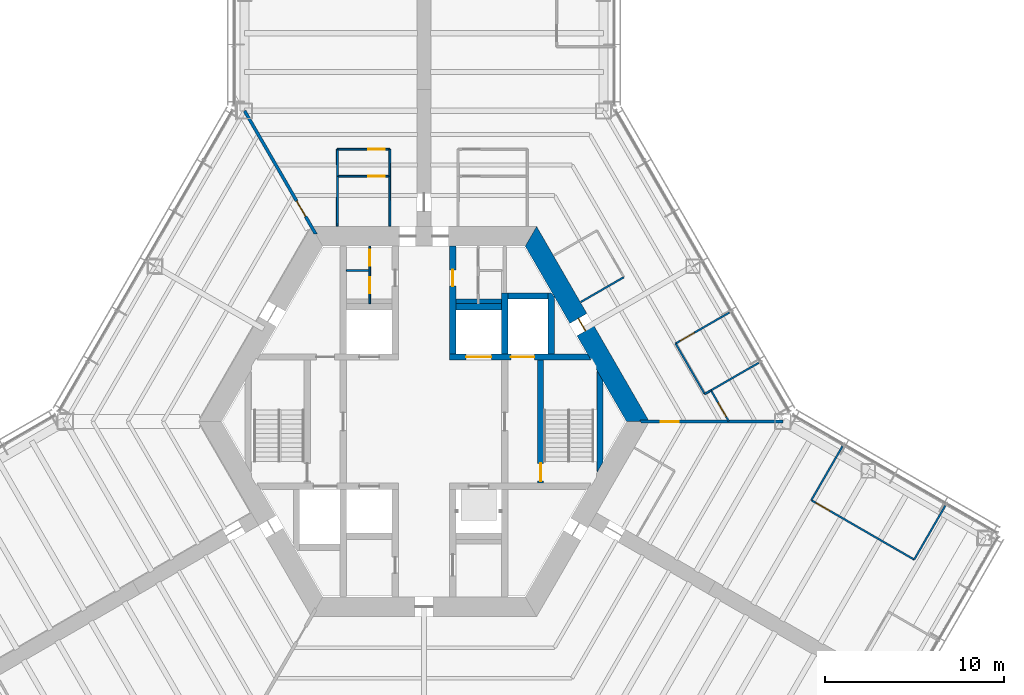
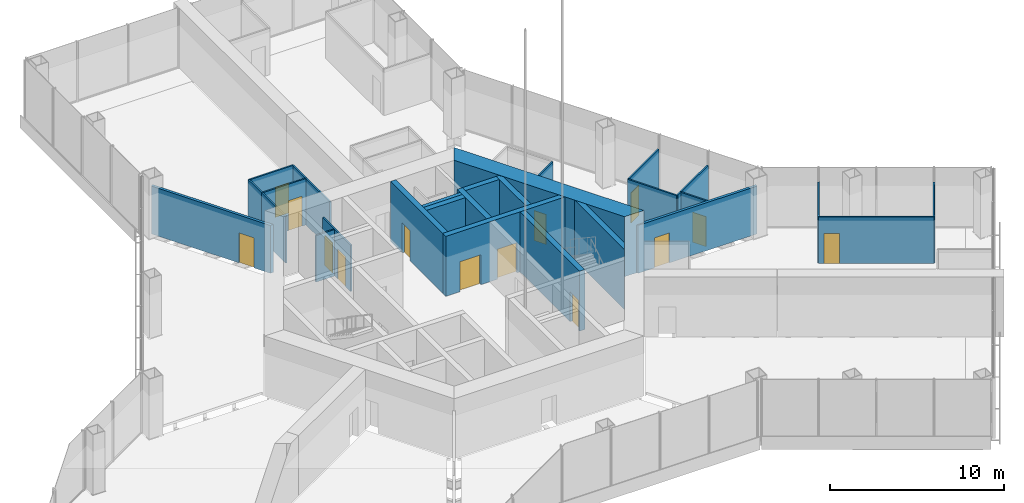
# One storey, part 12 of 18: 29 walls, 14 doors, 14 openings.
"""IFC4 building model written with IfcOpenShell, lengths in metres."""

from ifc_helpers import new_model, si_unit, direction, frame, frame_2d, origin, place, context, subcontext, project, spatial, polyline, rectangle, outline, extrude, material, layer, layer_set, type_object, element, fill, save


model = new_model("IFC4")

# Units and contexts
model_context = context("Model", 3, precision=1e-05, world=origin(), true_north=direction((0.0, 1.0)))
body_context = subcontext(model_context, "Body", "Model", "MODEL_VIEW")
ifc_project = project(units=[si_unit("LENGTHUNIT", "METRE"), si_unit("AREAUNIT", "SQUARE_METRE"), si_unit("VOLUMEUNIT", "CUBIC_METRE"), si_unit("PLANEANGLEUNIT", "RADIAN"), si_unit("MASSUNIT", "GRAM", prefix="KILO")], contexts=[model_context])

# Site, building, storey
site_placement = place(None, origin())
site = spatial("IfcSite", under=ifc_project, at=site_placement, CompositionType="ELEMENT")
building_placement = place(site_placement, origin())
building = spatial("IfcBuilding", under=site, at=building_placement, Name="Kasaneha Research Tower", CompositionType="ELEMENT")
storey_placement = place(building_placement, frame((0.0, 0.0, 57.0)))
storey = spatial("IfcBuildingStorey", under=building, at=storey_placement, Name="L14", CompositionType="ELEMENT", Elevation=57.0)

# Wall, openings, doors
ifc_material_1 = material(Name="Concrete Fc80", Category="concrete")
ifc_layer_1 = layer(ifc_material_1, 0.35009765625)
ifc_layer_set_1 = layer_set([ifc_layer_1], Name="Core internal wall 350 Fc80")
wall_type_1 = type_object("IfcWallType", Name="Core internal wall 350 Fc80", PredefinedType="SHEAR", material=ifc_layer_set_1)
wall_1_placement = place(storey_placement, frame((1.425048828125, 3.60009765625, 0.0), z_axis=(0.0, 0.0, 1.0), x_axis=(1.0, 0.0, 0.0)))
wall_1 = element("IfcWall", 1, at=wall_1_placement, inside=storey, type_object=wall_type_1, Name="Core wall W1E L14", PredefinedType="SHEAR", context=body_context, shape_type="SweptSolid", body=[
    extrude(outline(polyline([(0.0, -0.175048828125), (0.925048828125, -0.175048828125), (2.324951171875, -0.175048828125), (3.425048828125, -0.175048828125), (4.72509765625, -0.175048828125), (7.884765625, -0.175048828125), (7.6826171875, 0.175048828125), (4.72509765625, 0.175048828125), (3.425048828125, 0.175048828125), (2.324951171875, 0.175048828125), (0.925048828125, 0.175048828125), (0.0, 0.175048828125), (0.0, -0.175048828125)])), origin(), (0.0, 0.0, 1.0), 4.199951171875),
])
opening_1_placement = place(wall_1_placement, frame((0.925048828125, 0.0, 0.0)))
opening_1 = element("IfcOpeningElement", 2, at=opening_1_placement, cuts=wall_1, Name="Opening LD-SH1-L14", PredefinedType="OPENING", context=body_context, shape_type="SweptSolid", body=[
    extrude(rectangle(XDim=1.39990234375, YDim=2.10009765625, at=frame_2d((0.699951171875, 1.050048828125))), frame((0.0, 0.18505859375, 0.0), z_axis=(0.0, -1.0, 0.0), x_axis=(1.0, 0.0, 0.0)), (0.0, 0.0, 1.0), 0.3701171875),
])
opening_2_placement = place(wall_1_placement, frame((3.425048828125, 0.0, 0.0)))
opening_2 = element("IfcOpeningElement", 3, at=opening_2_placement, cuts=wall_1, Name="Opening LD-FL1-L14", PredefinedType="OPENING", context=body_context, shape_type="SweptSolid", body=[
    extrude(rectangle(XDim=1.300048828125, YDim=2.10009765625, at=frame_2d((0.64990234375, 1.050048828125))), frame((0.0, 0.18505859375, 0.0), z_axis=(0.0, -1.0, 0.0), x_axis=(1.0, 0.0, 0.0)), (0.0, 0.0, 1.0), 0.3701171875),
])
ifc_material_2 = material(Name="Steel", Category="steel")
door_type_1 = type_object("IfcDoorType", Name="Lift landing door 1300x2100", OperationType="DOUBLE_DOOR_SLIDING", PredefinedType="DOOR", material=ifc_material_2)
door_1_placement = place(opening_2_placement, origin())
door_1 = element("IfcDoor", 4, at=door_1_placement, inside=storey, type_object=door_type_1, Name="Landing door FL1 LD-FL1-L14", OperationType="DOUBLE_DOOR_SLIDING", OverallHeight=2.10009765625, OverallWidth=1.300048828125, PredefinedType="DOOR", context=body_context, shape_type="SweptSolid", body=[
    extrude(rectangle(XDim=1.300048828125, YDim=2.10009765625, at=frame_2d((0.64990234375, 1.050048828125))), frame((0.0, 0.02490234375, 0.0), z_axis=(0.0, -1.0, 0.0), x_axis=(1.0, 0.0, 0.0)), (0.0, 0.0, 1.0), 0.050048828125),
])
fill(opening_2, door_1)
ifc_material_3 = material(Name="Steel", Category="steel")
door_type_2 = type_object("IfcDoorType", Name="Lift landing door 1400x2100", OperationType="DOUBLE_DOOR_SLIDING", PredefinedType="DOOR", material=ifc_material_3)
door_2_placement = place(opening_1_placement, origin())
door_2 = element("IfcDoor", 5, at=door_2_placement, inside=storey, type_object=door_type_2, Name="Landing door SH1 LD-SH1-L14", OperationType="DOUBLE_DOOR_SLIDING", OverallHeight=2.10009765625, OverallWidth=1.39990234375, PredefinedType="DOOR", context=body_context, shape_type="SweptSolid", body=[
    extrude(rectangle(XDim=1.39990234375, YDim=2.10009765625, at=frame_2d((0.699951171875, 1.050048828125))), frame((0.0, 0.02490234375, 0.0), z_axis=(0.0, -1.0, 0.0), x_axis=(1.0, 0.0, 0.0)), (0.0, 0.0, 1.0), 0.050048828125),
])
fill(opening_1, door_2)

# Wall, opening, door
wall_2_placement = place(storey_placement, frame((1.60009765625, 3.77490234375, 0.0), z_axis=(0.0, 0.0, 1.0), x_axis=(0.0, 1.0, 0.0)))
wall_2 = element("IfcWall", 6, at=wall_2_placement, inside=storey, type_object=wall_type_1, Name="Core wall CNE L14", PredefinedType="SHEAR", context=body_context, shape_type="SweptSolid", body=[
    extrude(rectangle(XDim=6.0, YDim=0.35009765625, at=frame_2d((3.0, 0.0))), origin(), (0.0, 0.0, 1.0), 4.199951171875),
])
opening_3_placement = place(wall_2_placement, frame((3.77490234375, 0.0, 0.0)))
opening_3 = element("IfcOpeningElement", 7, at=opening_3_placement, cuts=wall_2, Name="Opening L14-D14", PredefinedType="OPENING", context=body_context, shape_type="SweptSolid", body=[
    extrude(rectangle(XDim=0.89990234375, YDim=2.10009765625, at=frame_2d((0.449951171875, 1.050048828125))), frame((0.0, 0.18505859375, 0.0), z_axis=(0.0, -1.0, 0.0), x_axis=(1.0, 0.0, 0.0)), (0.0, 0.0, 1.0), 0.3701171875),
])
ifc_material_4 = material(Name="Steel", Category="steel")
door_type_3 = type_object("IfcDoorType", Name="Toilet door FD20 900x2100", OperationType="NOTDEFINED", PredefinedType="DOOR", material=ifc_material_4)
door_3_placement = place(opening_3_placement, origin())
door_3 = element("IfcDoor", 8, at=door_3_placement, inside=storey, type_object=door_type_3, Name="Women's WC door L14-D14", OperationType="SINGLE_SWING_LEFT", OverallHeight=2.10009765625, OverallWidth=0.89990234375, PredefinedType="DOOR", context=body_context, shape_type="SweptSolid", body=[
    extrude(rectangle(XDim=0.89990234375, YDim=2.10009765625, at=frame_2d((0.449951171875, 1.050048828125))), frame((0.0, 0.02490234375, 0.0), z_axis=(0.0, -1.0, 0.0), x_axis=(1.0, 0.0, 0.0)), (0.0, 0.0, 1.0), 0.050048828125),
])
fill(opening_3, door_3)

wall_3_placement = place(storey_placement, frame((6.5, -3.425048828125, 0.0), z_axis=(0.0, 0.0, 1.0), x_axis=(0.0, 1.0, 0.0)))
wall_3 = element("IfcWall", 9, at=wall_3_placement, inside=storey, type_object=wall_type_1, Name="Core wall ANE L14", PredefinedType="SHEAR", context=body_context, shape_type="SweptSolid", body=[
    extrude(rectangle(XDim=6.85009765625, YDim=0.35009765625, at=frame_2d((3.425048828125, 0.0))), origin(), (0.0, 0.0, 1.0), 4.199951171875),
])
opening_4_placement = place(wall_3_placement, frame((0.10009765625, 0.0, 0.0)))
opening_4 = element("IfcOpeningElement", 10, at=opening_4_placement, cuts=wall_3, Name="Opening L14-D10", PredefinedType="OPENING", context=body_context, shape_type="SweptSolid", body=[
    extrude(rectangle(XDim=1.0, YDim=2.10009765625, at=frame_2d((0.5, 1.050048828125))), frame((0.0, 0.18505859375, 0.0), z_axis=(0.0, -1.0, 0.0), x_axis=(1.0, 0.0, 0.0)), (0.0, 0.0, 1.0), 0.3701171875),
])
ifc_material_5 = material(Name="Steel", Category="steel")
door_type_4 = type_object("IfcDoorType", Name="Specified fire door FD60 1000x2100", OperationType="NOTDEFINED", PredefinedType="DOOR", material=ifc_material_5)
door_4_placement = place(opening_4_placement, origin())
door_4 = element("IfcDoor", 11, at=door_4_placement, inside=storey, type_object=door_type_4, Name="Stair 1 door L14-D10", OperationType="SINGLE_SWING_LEFT", OverallHeight=2.10009765625, OverallWidth=1.0, PredefinedType="DOOR", context=body_context, shape_type="SweptSolid", body=[
    extrude(rectangle(XDim=1.0, YDim=2.10009765625, at=frame_2d((0.5, 1.050048828125))), frame((0.0, 0.02490234375, 0.0), z_axis=(0.0, -1.0, 0.0), x_axis=(1.0, 0.0, 0.0)), (0.0, 0.0, 1.0), 0.050048828125),
])
fill(opening_4, door_4)

# Walls
wall_4_placement = place(storey_placement, frame((4.5, 3.77490234375, 0.0), z_axis=(0.0, 0.0, 1.0), x_axis=(0.0, 1.0, 0.0)))
element("IfcWall", 12, at=wall_4_placement, inside=storey, type_object=wall_type_1, Name="Core wall FNE L14", PredefinedType="SHEAR", context=body_context, shape_type="SweptSolid", body=[
    extrude(rectangle(XDim=3.400146484375, YDim=0.35009765625, at=frame_2d((1.7001953125, 0.0))), origin(), (0.0, 0.0, 1.0), 4.199951171875),
])
wall_5_placement = place(storey_placement, frame((1.77490234375, 6.39990234375, 0.0), z_axis=(0.0, 0.0, 1.0), x_axis=(1.0, 0.0, 0.0)))
element("IfcWall", 13, at=wall_5_placement, inside=storey, type_object=wall_type_1, Name="Core wall N3N L14", PredefinedType="SHEAR", context=body_context, shape_type="SweptSolid", body=[
    extrude(rectangle(XDim=2.550048828125, YDim=0.35009765625, at=frame_2d((1.27490234375, 0.0))), origin(), (0.0, 0.0, 1.0), 4.199951171875),
])
wall_6_placement = place(storey_placement, frame((4.675048828125, 7.0, 0.0), z_axis=(0.0, 0.0, 1.0), x_axis=(1.0, 0.0, 0.0)))
element("IfcWall", 14, at=wall_6_placement, inside=storey, type_object=wall_type_1, Name="Core wall F1N L14", PredefinedType="SHEAR", context=body_context, shape_type="SweptSolid", body=[
    extrude(rectangle(XDim=2.25, YDim=0.35009765625, at=frame_2d((1.125, 0.0))), origin(), (0.0, 0.0, 1.0), 4.199951171875),
])
wall_7_placement = place(storey_placement, frame((7.10009765625, 3.77490234375, 0.0), z_axis=(0.0, 0.0, 1.0), x_axis=(0.0, 1.0, 0.0)))
element("IfcWall", 15, at=wall_7_placement, inside=storey, type_object=wall_type_1, Name="Core wall F1E L14", PredefinedType="SHEAR", context=body_context, shape_type="SweptSolid", body=[
    extrude(outline(polyline([(0.0, -0.175048828125), (3.174560546875, -0.175048828125), (3.400146484375, 0.0), (3.400146484375, 0.175048828125), (0.0, 0.175048828125), (0.0, -0.175048828125)])), origin(), (0.0, 0.0, 1.0), 4.199951171875),
])
wall_8_placement = place(storey_placement, frame((9.807861328125, -2.562255859375, 0.0), z_axis=(0.0, 0.0, 1.0), x_axis=(0.0, 1.0, 0.0)))
element("IfcWall", 16, at=wall_8_placement, inside=storey, type_object=wall_type_1, Name="Core wall STE L14", PredefinedType="SHEAR", context=body_context, shape_type="SweptSolid", body=[
    extrude(outline(polyline([(0.30322265625, -0.175048828125), (4.8212890625, -0.175048828125), (5.427734375, 0.175048828125), (-0.30322265625, 0.175048828125), (0.30322265625, -0.175048828125)])), origin(), (0.0, 0.0, 1.0), 4.199951171875),
])

# Wall, opening, door
ifc_material_6 = material(Name="Concrete Fc80", Category="concrete")
ifc_layer_2 = layer(ifc_material_6, 1.10009765625)
ifc_layer_set_2 = layer_set([ifc_layer_2], Name="Core wall 1100 Fc80")
wall_type_2 = type_object("IfcWallType", Name="Core wall 1100 Fc80", PredefinedType="SHEAR", material=ifc_layer_set_2)
wall_9_placement = place(storey_placement, frame((11.92236328125, 0.0, 0.0), z_axis=(0.0, 0.0, 1.0), x_axis=(-0.500004296715, 0.866022923061, 0.0)))
wall_9 = element("IfcWall", 17, at=wall_9_placement, inside=storey, type_object=wall_type_2, Name="Core wall 030 L14", PredefinedType="SHEAR", context=body_context, shape_type="SweptSolid", body=[
    extrude(outline(polyline([(-0.317626953125, -0.550048828125), (5.83544921875, -0.550048828125), (6.635498046875, -0.550048828125), (12.239990234375, -0.550048828125), (11.604736328125, 0.550048828125), (6.635498046875, 0.550048828125), (5.83544921875, 0.550048828125), (0.317626953125, 0.550048828125), (-0.317626953125, -0.550048828125)])), origin(), (0.0, 0.0, 1.0), 4.199951171875),
])
opening_5_placement = place(wall_9_placement, frame((5.83544921875, 0.0, 0.0)))
opening_5 = element("IfcOpeningElement", 18, at=opening_5_placement, cuts=wall_9, Name="Opening L14-D04", PredefinedType="OPENING", context=body_context, shape_type="SweptSolid", body=[
    extrude(rectangle(XDim=0.800048828125, YDim=2.10009765625, at=frame_2d((0.39990234375, 1.050048828125))), frame((0.0, 0.56005859375, 0.0), z_axis=(0.0, -1.0, 0.0), x_axis=(1.0, 0.0, 0.0)), (0.0, 0.0, 1.0), 1.1201171875),
])
ifc_material_7 = material(Name="Steel", Category="steel")
door_type_5 = type_object("IfcDoorType", Name="Riser access door FD60 800x2100", OperationType="NOTDEFINED", PredefinedType="DOOR", material=ifc_material_7)
door_5_placement = place(opening_5_placement, origin())
door_5 = element("IfcDoor", 19, at=door_5_placement, inside=storey, type_object=door_type_5, Name="Pipe riser door L14-D04", OperationType="SINGLE_SWING_RIGHT", OverallHeight=2.10009765625, OverallWidth=0.800048828125, PredefinedType="DOOR", context=body_context, shape_type="SweptSolid", body=[
    extrude(rectangle(XDim=0.800048828125, YDim=2.10009765625, at=frame_2d((0.39990234375, 1.050048828125))), frame((0.0, 0.02490234375, 0.0), z_axis=(0.0, -1.0, 0.0), x_axis=(1.0, 0.0, 0.0)), (0.0, 0.0, 1.0), 0.050048828125),
])
fill(opening_5, door_5)

# Wall, openings, doors
ifc_material_8 = material(Name="Gypsum board on steel studs, one layer each side", Category="steel")
ifc_layer_3 = layer(ifc_material_8, 0.10009765625)
ifc_layer_set_3 = layer_set([ifc_layer_3], Name="Office partition 100")
wall_type_3 = type_object("IfcWallType", Name="Office partition 100", PredefinedType="PARTITIONING", material=ifc_layer_set_3)
wall_10_placement = place(storey_placement, frame((-3.02490234375, 6.574951171875, 0.0), z_axis=(0.0, 0.0, 1.0), x_axis=(0.0, 1.0, 0.0)))
wall_10 = element("IfcWall", 20, at=wall_10_placement, inside=storey, type_object=wall_type_3, Name="Office partition TBM1 L14", PredefinedType="PARTITIONING", context=body_context, shape_type="SweptSolid", body=[
    extrude(rectangle(XDim=3.199951171875, YDim=0.10009765625, at=frame_2d((1.60009765625, 0.0))), origin(), (0.0, 0.0, 1.0), 3.25),
])
opening_6_placement = place(wall_10_placement, frame((0.574951171875, 0.0, 0.0)))
opening_6 = element("IfcOpeningElement", 21, at=opening_6_placement, cuts=wall_10, Name="Opening L14-D20", PredefinedType="OPENING", context=body_context, shape_type="SweptSolid", body=[
    extrude(rectangle(XDim=0.89990234375, YDim=2.10009765625, at=frame_2d((0.449951171875, 1.050048828125))), frame((0.0, 0.06005859375, 0.0), z_axis=(0.0, -1.0, 0.0), x_axis=(1.0, 0.0, 0.0)), (0.0, 0.0, 1.0), 0.1201171875),
])
opening_7_placement = place(wall_10_placement, frame((2.10009765625, 0.0, 0.0)))
opening_7 = element("IfcOpeningElement", 22, at=opening_7_placement, cuts=wall_10, Name="Opening L14-D21", PredefinedType="OPENING", context=body_context, shape_type="SweptSolid", body=[
    extrude(rectangle(XDim=0.89990234375, YDim=2.10009765625, at=frame_2d((0.449951171875, 1.050048828125))), frame((0.0, 0.06005859375, 0.0), z_axis=(0.0, -1.0, 0.0), x_axis=(1.0, 0.0, 0.0)), (0.0, 0.0, 1.0), 0.1201171875),
])
ifc_material_9 = material(Name="Steel", Category="steel")
door_type_6 = type_object("IfcDoorType", Name="Toilet lobby door FD30 900x2100", OperationType="NOTDEFINED", PredefinedType="DOOR", material=ifc_material_9)
door_6_placement = place(opening_6_placement, origin())
door_6 = element("IfcDoor", 23, at=door_6_placement, inside=storey, type_object=door_type_6, Name="Men's WC door L14-D20", OperationType="SINGLE_SWING_RIGHT", OverallHeight=2.10009765625, OverallWidth=0.89990234375, PredefinedType="DOOR", context=body_context, shape_type="SweptSolid", body=[
    extrude(rectangle(XDim=0.89990234375, YDim=2.10009765625, at=frame_2d((0.449951171875, 1.050048828125))), frame((0.0, 0.02490234375, 0.0), z_axis=(0.0, -1.0, 0.0), x_axis=(1.0, 0.0, 0.0)), (0.0, 0.0, 1.0), 0.050048828125),
])
fill(opening_6, door_6)
door_7_placement = place(opening_7_placement, origin())
door_7 = element("IfcDoor", 24, at=door_7_placement, inside=storey, type_object=door_type_6, Name="Cleaner's store door L14-D21", OperationType="SINGLE_SWING_RIGHT", OverallHeight=2.10009765625, OverallWidth=0.89990234375, PredefinedType="DOOR", context=body_context, shape_type="SweptSolid", body=[
    extrude(rectangle(XDim=0.89990234375, YDim=2.10009765625, at=frame_2d((0.449951171875, 1.050048828125))), frame((0.0, 0.02490234375, 0.0), z_axis=(0.0, -1.0, 0.0), x_axis=(1.0, 0.0, 0.0)), (0.0, 0.0, 1.0), 0.050048828125),
])
fill(opening_7, door_7)

# Walls
wall_11_placement = place(storey_placement, frame((-3.074951171875, 8.425048828125, 0.0), z_axis=(0.0, 0.0, 1.0), x_axis=(-1.0, 0.0, 0.0)))
element("IfcWall", 25, at=wall_11_placement, inside=storey, type_object=wall_type_3, Name="Office partition TBM2 L14", PredefinedType="PARTITIONING", context=body_context, shape_type="SweptSolid", body=[
    extrude(rectangle(XDim=1.25, YDim=0.10009765625, at=frame_2d((0.625, 0.0))), origin(), (0.0, 0.0, 1.0), 3.25),
])
wall_12_placement = place(storey_placement, frame((11.142822265625, 8.0498046875, 0.0), z_axis=(0.0, 0.0, 1.0), x_axis=(-0.86603494908, -0.499983466698, 0.0)))
element("IfcWall", 26, at=wall_12_placement, inside=storey, type_object=wall_type_3, Name="Office partition FAE09 L14", PredefinedType="PARTITIONING", context=body_context, shape_type="SweptSolid", body=[
    extrude(rectangle(XDim=2.77978515625, YDim=0.10009765625, at=frame_2d((1.389892578125, 0.0))), origin(), (0.0, 0.0, 1.0), 3.25),
])
wall_13_placement = place(storey_placement, frame((18.662109375, 3.27734375, 0.0), z_axis=(0.0, 0.0, 1.0), x_axis=(-0.866023484601, -0.500003324108, 0.0)))
element("IfcWall", 27, at=wall_13_placement, inside=storey, type_object=wall_type_3, Name="Office partition FAE10 L14", PredefinedType="PARTITIONING", context=body_context, shape_type="SweptSolid", body=[
    extrude(rectangle(XDim=3.0849609375, YDim=0.10009765625, at=frame_2d((1.54248046875, 0.0))), origin(), (0.0, 0.0, 1.0), 3.25),
])

# Wall, opening, door
wall_14_placement = place(storey_placement, frame((14.025146484375, 4.348876953125, 0.0), z_axis=(0.0, 0.0, 1.0), x_axis=(0.866043818878, 0.499968102766, 0.0)))
wall_14 = element("IfcWall", 28, at=wall_14_placement, inside=storey, type_object=wall_type_3, Name="Office partition FAE11 L14", PredefinedType="PARTITIONING", context=body_context, shape_type="SweptSolid", body=[
    extrude(rectangle(XDim=3.469970703125, YDim=0.10009765625, at=frame_2d((1.73486328125, 0.0))), origin(), (0.0, 0.0, 1.0), 3.25),
])
opening_8_placement = place(wall_14_placement, frame((0.300048828125, 0.0, 0.0)))
opening_8 = element("IfcOpeningElement", 29, at=opening_8_placement, cuts=wall_14, Name="Opening L14-D30", PredefinedType="OPENING", context=body_context, shape_type="SweptSolid", body=[
    extrude(rectangle(XDim=0.89990234375, YDim=2.10009765625, at=frame_2d((0.449951171875, 1.050048828125))), frame((0.0, 0.06005859375, 0.0), z_axis=(0.0, -1.0, 0.0), x_axis=(1.0, 0.0, 0.0)), (0.0, 0.0, 1.0), 0.1201171875),
])
ifc_material_10 = material(Name="Timber veneer", Category="wood")
door_type_7 = type_object("IfcDoorType", Name="Office door 900x2100", OperationType="SINGLE_SWING_LEFT", PredefinedType="DOOR", material=ifc_material_10)
door_8_placement = place(opening_8_placement, origin())
door_8 = element("IfcDoor", 30, at=door_8_placement, inside=storey, type_object=door_type_7, Name="Interview room door L14-D30", OperationType="SINGLE_SWING_LEFT", OverallHeight=2.10009765625, OverallWidth=0.89990234375, PredefinedType="DOOR", context=body_context, shape_type="SweptSolid", body=[
    extrude(rectangle(XDim=0.89990234375, YDim=2.10009765625, at=frame_2d((0.449951171875, 1.050048828125))), frame((0.0, 0.02490234375, 0.0), z_axis=(0.0, -1.0, 0.0), x_axis=(1.0, 0.0, 0.0)), (0.0, 0.0, 1.0), 0.050048828125),
])
fill(opening_8, door_8)

# Walls
wall_15_placement = place(storey_placement, frame((15.648193359375, 1.537353515625, 0.0), z_axis=(0.0, 0.0, 1.0), x_axis=(-0.499956811548, 0.866050337213, 0.0)))
element("IfcWall", 31, at=wall_15_placement, inside=storey, type_object=wall_type_3, Name="Office partition FAE12 L14", PredefinedType="PARTITIONING", context=body_context, shape_type="SweptSolid", body=[
    extrude(rectangle(XDim=3.246337890625, YDim=0.10009765625, at=frame_2d((1.623046875, 0.0))), origin(), (0.0, 0.0, 1.0), 3.25),
])
wall_16_placement = place(storey_placement, frame((15.99853515625, 1.739501953125, 0.0), z_axis=(0.0, 0.0, 1.0), x_axis=(-0.866155438336, -0.499774705883, 0.0)))
element("IfcWall", 32, at=wall_16_placement, inside=storey, type_object=wall_type_3, Name="Office partition FAE13 L14", PredefinedType="PARTITIONING", context=body_context, shape_type="SweptSolid", body=[
    extrude(rectangle(XDim=0.404541015625, YDim=0.10009765625, at=frame_2d((0.2021484375, 0.0))), origin(), (0.0, 0.0, 1.0), 3.25),
])

# Wall, opening, door
wall_17_placement = place(storey_placement, frame((16.986083984375, 0.02001953125, 0.0), z_axis=(0.0, 0.0, 1.0), x_axis=(-0.498033854503, 0.867157586468, 0.0)))
wall_17 = element("IfcWall", 33, at=wall_17_placement, inside=storey, type_object=wall_type_3, Name="Office partition FAE14 L14", PredefinedType="PARTITIONING", context=body_context, shape_type="SweptSolid", body=[
    extrude(rectangle(XDim=1.98291015625, YDim=0.10009765625, at=frame_2d((0.991455078125, 0.0))), origin(), (0.0, 0.0, 1.0), 3.25),
])
opening_9_placement = place(wall_17_placement, frame((0.300048828125, 0.0, 0.0)))
opening_9 = element("IfcOpeningElement", 34, at=opening_9_placement, cuts=wall_17, Name="Opening L14-D31", PredefinedType="OPENING", context=body_context, shape_type="SweptSolid", body=[
    extrude(rectangle(XDim=0.89990234375, YDim=2.10009765625, at=frame_2d((0.449951171875, 1.050048828125))), frame((0.0, 0.06005859375, 0.0), z_axis=(0.0, -1.0, 0.0), x_axis=(1.0, 0.0, 0.0)), (0.0, 0.0, 1.0), 0.1201171875),
])
door_9_placement = place(opening_9_placement, origin())
door_9 = element("IfcDoor", 35, at=door_9_placement, inside=storey, type_object=door_type_7, Name="Workroom door L14-D31", OperationType="SINGLE_SWING_LEFT", OverallHeight=2.10009765625, OverallWidth=0.89990234375, PredefinedType="DOOR", context=body_context, shape_type="SweptSolid", body=[
    extrude(rectangle(XDim=0.89990234375, YDim=2.10009765625, at=frame_2d((0.449951171875, 1.050048828125))), frame((0.0, 0.02490234375, 0.0), z_axis=(0.0, -1.0, 0.0), x_axis=(1.0, 0.0, 0.0)), (0.0, 0.0, 1.0), 0.050048828125),
])
fill(opening_9, door_9)

wall_18_placement = place(storey_placement, frame((-4.8291015625, 13.669921875, 0.0), z_axis=(0.0, 0.0, 1.0), x_axis=(1.0, 0.0, 0.0)))
wall_18 = element("IfcWall", 36, at=wall_18_placement, inside=storey, type_object=wall_type_3, Name="Office partition FAW01 L14", PredefinedType="PARTITIONING", context=body_context, shape_type="SweptSolid", body=[
    extrude(rectangle(XDim=2.92919921875, YDim=0.10009765625, at=frame_2d((1.464599609375, 0.0))), origin(), (0.0, 0.0, 1.0), 3.25),
])
opening_10_placement = place(wall_18_placement, frame((1.72900390625, 0.0, 0.0)))
opening_10 = element("IfcOpeningElement", 37, at=opening_10_placement, cuts=wall_18, Name="Opening L14-D34", PredefinedType="OPENING", context=body_context, shape_type="SweptSolid", body=[
    extrude(rectangle(XDim=0.89990234375, YDim=2.10009765625, at=frame_2d((0.449951171875, 1.050048828125))), frame((0.0, 0.06005859375, 0.0), z_axis=(0.0, -1.0, 0.0), x_axis=(1.0, 0.0, 0.0)), (0.0, 0.0, 1.0), 0.1201171875),
])
door_10_placement = place(opening_10_placement, origin())
door_10 = element("IfcDoor", 38, at=door_10_placement, inside=storey, type_object=door_type_6, Name="Men's WC door L14-D34", OperationType="SINGLE_SWING_RIGHT", OverallHeight=2.10009765625, OverallWidth=0.89990234375, PredefinedType="DOOR", context=body_context, shape_type="SweptSolid", body=[
    extrude(rectangle(XDim=0.89990234375, YDim=2.10009765625, at=frame_2d((0.449951171875, 1.050048828125))), frame((0.0, 0.02490234375, 0.0), z_axis=(0.0, -1.0, 0.0), x_axis=(1.0, 0.0, 0.0)), (0.0, 0.0, 1.0), 0.050048828125),
])
fill(opening_10, door_10)

# Walls
for number, where, z_axis, x_axis, name in (
    (39, (-4.8291015625, 10.89501953125, 0.0), (0.0, 0.0, 1.0), (0.001756386155, 0.999998457553, 0.0), "Office partition FAW02 L14"),
    (40, (-1.904541015625, 13.675048828125, 0.0), (0.0, 0.0, 1.0), (0.001668567099, -0.999998607941, 0.0), "Office partition FAW03 L14"),
):
    element("IfcWall", number, at=place(storey_placement, frame(where, z_axis=z_axis, x_axis=x_axis)), inside=storey, type_object=wall_type_3, Name=name, PredefinedType="PARTITIONING", context=body_context, shape_type="SweptSolid", body=[
        extrude(rectangle(XDim=2.780029296875, YDim=0.10009765625, at=frame_2d((1.39013671875, 0.0))), origin(), (0.0, 0.0, 1.0), 3.25),
    ])

# Wall, opening, door
wall_19_placement = place(storey_placement, frame((-4.8291015625, 15.175048828125, 0.0), z_axis=(0.0, 0.0, 1.0), x_axis=(1.0, 0.0, 0.0)))
wall_19 = element("IfcWall", 41, at=wall_19_placement, inside=storey, type_object=wall_type_3, Name="Office partition FAW04 L14", PredefinedType="PARTITIONING", context=body_context, shape_type="SweptSolid", body=[
    extrude(rectangle(XDim=2.92919921875, YDim=0.10009765625, at=frame_2d((1.464599609375, 0.0))), origin(), (0.0, 0.0, 1.0), 3.25),
])
opening_11_placement = place(wall_19_placement, frame((1.72900390625, 0.0, 0.0)))
opening_11 = element("IfcOpeningElement", 42, at=opening_11_placement, cuts=wall_19, Name="Opening L14-D35", PredefinedType="OPENING", context=body_context, shape_type="SweptSolid", body=[
    extrude(rectangle(XDim=0.89990234375, YDim=2.10009765625, at=frame_2d((0.449951171875, 1.050048828125))), frame((0.0, 0.06005859375, 0.0), z_axis=(0.0, -1.0, 0.0), x_axis=(1.0, 0.0, 0.0)), (0.0, 0.0, 1.0), 0.1201171875),
])
door_11_placement = place(opening_11_placement, origin())
door_11 = element("IfcDoor", 43, at=door_11_placement, inside=storey, type_object=door_type_6, Name="Toilet lobby door L14-D35", OperationType="SINGLE_SWING_RIGHT", OverallHeight=2.10009765625, OverallWidth=0.89990234375, PredefinedType="DOOR", context=body_context, shape_type="SweptSolid", body=[
    extrude(rectangle(XDim=0.89990234375, YDim=2.10009765625, at=frame_2d((0.449951171875, 1.050048828125))), frame((0.0, 0.02490234375, 0.0), z_axis=(0.0, -1.0, 0.0), x_axis=(1.0, 0.0, 0.0)), (0.0, 0.0, 1.0), 0.050048828125),
])
fill(opening_11, door_11)

# Walls
for number, where, z_axis, x_axis, name in (
    (44, (-4.82421875, 13.675048828125, 0.0), (0.0, 0.0, 1.0), (-0.003255191087, 0.999994701851, 0.0), "Office partition FAW05 L14"),
    (45, (-1.89990234375, 15.175048828125, 0.0), (0.0, 0.0, 1.0), (-0.00309243313, -0.999995218417, 0.0), "Office partition FAW06 L14"),
):
    element("IfcWall", number, at=place(storey_placement, frame(where, z_axis=z_axis, x_axis=x_axis)), inside=storey, type_object=wall_type_3, Name=name, PredefinedType="PARTITIONING", context=body_context, shape_type="SweptSolid", body=[
        extrude(rectangle(XDim=1.5, YDim=0.10009765625, at=frame_2d((0.75, 0.0))), origin(), (0.0, 0.0, 1.0), 3.25),
    ])
wall_20_placement = place(storey_placement, frame((21.59228515625, -4.38330078125, 0.0), z_axis=(0.0, 0.0, 1.0), x_axis=(0.500009906705, 0.86601968407, 0.0)))
element("IfcWall", 46, at=wall_20_placement, inside=storey, type_object=wall_type_3, Name="Office partition FCE01 L14", PredefinedType="PARTITIONING", context=body_context, shape_type="SweptSolid", body=[
    extrude(rectangle(XDim=3.47998046875, YDim=0.10009765625, at=frame_2d((1.739990234375, 0.0))), origin(), (0.0, 0.0, 1.0), 3.25),
])

# Wall, opening, door
wall_21_placement = place(storey_placement, frame((27.324951171875, -7.693115234375, 0.0), z_axis=(0.0, 0.0, 1.0), x_axis=(-0.866021597574, 0.500006592492, 0.0)))
wall_21 = element("IfcWall", 47, at=wall_21_placement, inside=storey, type_object=wall_type_3, Name="Office partition FCE02 L14", PredefinedType="PARTITIONING", context=body_context, shape_type="SweptSolid", body=[
    extrude(rectangle(XDim=6.61962890625, YDim=0.10009765625, at=frame_2d((3.309814453125, 0.0))), origin(), (0.0, 0.0, 1.0), 3.25),
])
opening_12_placement = place(wall_21_placement, frame((5.419677734375, 0.0, 0.0)))
opening_12 = element("IfcOpeningElement", 48, at=opening_12_placement, cuts=wall_21, Name="Opening L14-D38", PredefinedType="OPENING", context=body_context, shape_type="SweptSolid", body=[
    extrude(rectangle(XDim=0.89990234375, YDim=2.10009765625, at=frame_2d((0.449951171875, 1.050048828125))), frame((0.0, 0.06005859375, 0.0), z_axis=(0.0, -1.0, 0.0), x_axis=(1.0, 0.0, 0.0)), (0.0, 0.0, 1.0), 0.1201171875),
])
door_12_placement = place(opening_12_placement, origin())
door_12 = element("IfcDoor", 49, at=door_12_placement, inside=storey, type_object=door_type_7, Name="Meeting room door L14-D38", OperationType="SINGLE_SWING_RIGHT", OverallHeight=2.10009765625, OverallWidth=0.89990234375, PredefinedType="DOOR", context=body_context, shape_type="SweptSolid", body=[
    extrude(rectangle(XDim=0.89990234375, YDim=2.10009765625, at=frame_2d((0.449951171875, 1.050048828125))), frame((0.0, 0.02490234375, 0.0), z_axis=(0.0, -1.0, 0.0), x_axis=(1.0, 0.0, 0.0)), (0.0, 0.0, 1.0), 0.050048828125),
])
fill(opening_12, door_12)

# Wall
wall_22_placement = place(storey_placement, frame((29.06005859375, -4.68798828125, 0.0), z_axis=(0.0, 0.0, 1.0), x_axis=(-0.500020871164, -0.866013353477, 0.0)))
element("IfcWall", 50, at=wall_22_placement, inside=storey, type_object=wall_type_3, Name="Office partition FCE03 L14", PredefinedType="PARTITIONING", context=body_context, shape_type="SweptSolid", body=[
    extrude(rectangle(XDim=3.469970703125, YDim=0.10009765625, at=frame_2d((1.73486328125, 0.0))), origin(), (0.0, 0.0, 1.0), 3.25),
])

# Wall, opening, door
ifc_material_11 = material(Name="Gypsum board on steel studs, two layers each side", Category="steel")
ifc_layer_4 = layer(ifc_material_11, 0.175048828125)
ifc_layer_set_4 = layer_set([ifc_layer_4], Name="Tenancy fire partition 175")
wall_type_4 = type_object("IfcWallType", Name="Tenancy fire partition 175", PredefinedType="PARTITIONING", material=ifc_layer_set_4)
wall_23_placement = place(storey_placement, frame((12.072265625, 0.0, 0.0), z_axis=(0.0, 0.0, 1.0), x_axis=(1.0, 0.0, 0.0)))
wall_23 = element("IfcWall", 51, at=wall_23_placement, inside=storey, type_object=wall_type_4, Name="Tenancy fire partition T000 L14", PredefinedType="PARTITIONING", context=body_context, shape_type="SweptSolid", body=[
    extrude(outline(polyline([(0.050537109375, -0.08740234375), (1.127197265625, -0.08740234375), (2.127197265625, -0.08740234375), (7.927734375, -0.08740234375), (7.927734375, 0.08740234375), (2.127197265625, 0.08740234375), (1.127197265625, 0.08740234375), (-0.050537109375, 0.08740234375), (0.050537109375, -0.08740234375)])), origin(), (0.0, 0.0, 1.0), 3.35009765625),
])
opening_13_placement = place(wall_23_placement, frame((1.127197265625, 0.0, 0.0)))
opening_13 = element("IfcOpeningElement", 52, at=opening_13_placement, cuts=wall_23, Name="Opening L14-D24", PredefinedType="OPENING", context=body_context, shape_type="SweptSolid", body=[
    extrude(rectangle(XDim=1.0, YDim=2.10009765625, at=frame_2d((0.5, 1.050048828125))), frame((0.0, 0.09765625, 0.0), z_axis=(0.0, -1.0, 0.0), x_axis=(1.0, 0.0, 0.0)), (0.0, 0.0, 1.0), 0.195068359375),
])
ifc_material_12 = material(Name="Steel", Category="steel")
door_type_8 = type_object("IfcDoorType", Name="Suite entrance door FD60 1000x2100", OperationType="NOTDEFINED", PredefinedType="DOOR", material=ifc_material_12)
door_13_placement = place(opening_13_placement, origin())
door_13 = element("IfcDoor", 53, at=door_13_placement, inside=storey, type_object=door_type_8, Name="Connecting door L14-D24", OperationType="SINGLE_SWING_LEFT", OverallHeight=2.10009765625, OverallWidth=1.0, PredefinedType="DOOR", context=body_context, shape_type="SweptSolid", body=[
    extrude(rectangle(XDim=1.0, YDim=2.10009765625, at=frame_2d((0.5, 1.050048828125))), frame((0.0, 0.02490234375, 0.0), z_axis=(0.0, -1.0, 0.0), x_axis=(1.0, 0.0, 0.0)), (0.0, 0.0, 1.0), 0.050048828125),
])
fill(opening_13, door_13)

wall_24_placement = place(storey_placement, frame((-6.0361328125, 10.455078125, 0.0), z_axis=(0.0, 0.0, 1.0), x_axis=(-0.500007693191, 0.866020962073, 0.0)))
wall_24 = element("IfcWall", 54, at=wall_24_placement, inside=storey, type_object=wall_type_4, Name="Tenancy fire partition T120 L14", PredefinedType="PARTITIONING", context=body_context, shape_type="SweptSolid", body=[
    extrude(outline(polyline([(-0.050537109375, -0.08740234375), (1.127197265625, -0.08740234375), (2.127197265625, -0.08740234375), (7.927734375, -0.08740234375), (7.927734375, 0.08740234375), (2.127197265625, 0.08740234375), (1.127197265625, 0.08740234375), (0.050537109375, 0.08740234375), (-0.050537109375, -0.08740234375)])), origin(), (0.0, 0.0, 1.0), 3.35009765625),
])
opening_14_placement = place(wall_24_placement, frame((1.127197265625, 0.0, 0.0)))
opening_14 = element("IfcOpeningElement", 55, at=opening_14_placement, cuts=wall_24, Name="Opening L14-D25", PredefinedType="OPENING", context=body_context, shape_type="SweptSolid", body=[
    extrude(rectangle(XDim=1.0, YDim=2.10009765625, at=frame_2d((0.5, 1.050048828125))), frame((0.0, 0.09765625, 0.0), z_axis=(0.0, -1.0, 0.0), x_axis=(1.0, 0.0, 0.0)), (0.0, 0.0, 1.0), 0.195068359375),
])
door_14_placement = place(opening_14_placement, origin())
door_14 = element("IfcDoor", 56, at=door_14_placement, inside=storey, type_object=door_type_8, Name="Connecting door L14-D25", OperationType="SINGLE_SWING_LEFT", OverallHeight=2.10009765625, OverallWidth=1.0, PredefinedType="DOOR", context=body_context, shape_type="SweptSolid", body=[
    extrude(rectangle(XDim=1.0, YDim=2.10009765625, at=frame_2d((0.5, 1.050048828125))), frame((0.0, 0.02490234375, 0.0), z_axis=(0.0, -1.0, 0.0), x_axis=(1.0, 0.0, 0.0)), (0.0, 0.0, 1.0), 0.050048828125),
])
fill(opening_14, door_14)

# Wall
ifc_material_13 = material(Name="Concrete block lining", Category="concrete")
ifc_layer_5 = layer(ifc_material_13, 0.25)
ifc_layer_set_5 = layer_set([ifc_layer_5], Name="WC plumbing wall 250")
wall_type_5 = type_object("IfcWallType", Name="WC plumbing wall 250", PredefinedType="PLUMBINGWALL", material=ifc_layer_set_5)
wall_25_placement = place(storey_placement, frame((1.77490234375, 6.699951171875, 0.0), z_axis=(0.0, 0.0, 1.0), x_axis=(1.0, 0.0, 0.0)))
element("IfcWall", 57, at=wall_25_placement, inside=storey, type_object=wall_type_5, Name="WC plumbing wall F L14", PredefinedType="PLUMBINGWALL", context=body_context, shape_type="SweptSolid", body=[
    extrude(rectangle(XDim=2.550048828125, YDim=0.25, at=frame_2d((1.27490234375, 0.0))), origin(), (0.0, 0.0, 1.0), 4.199951171875),
])

save(model, "model.ifc")
